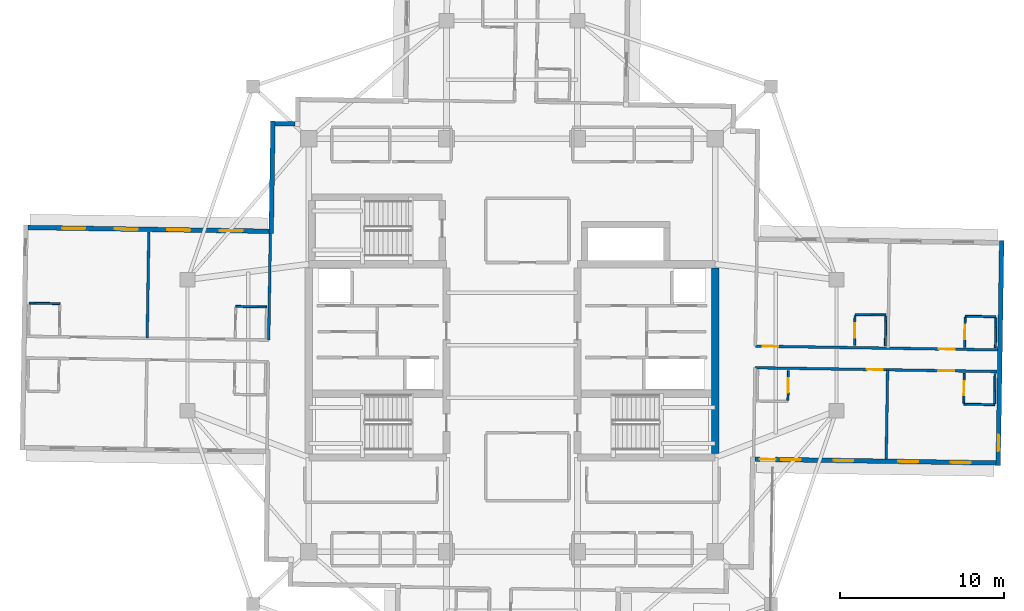
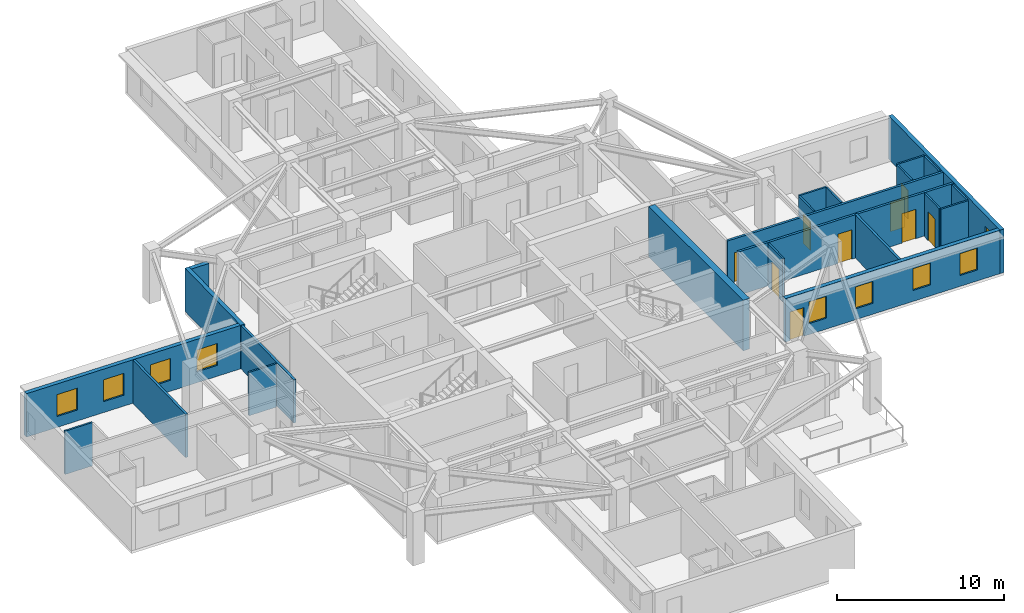
# One storey, part 6 of 13: 23 walls, 9 doors, 9 windows, 18 openings.
"""IFC4 building model written with IfcOpenShell, lengths in metres."""

import ifcopenshell
import ifcopenshell.guid

model = None  # the IFC model being written
_history = None  # IfcOwnerHistory: only IFC2X3 demands one
_inside = {}  # id of a spatial element -> (the spatial element, [elements in it])
_under = {}  # id of a project, library or spatial element -> (it, [spatial elements below it])
_declared = {}  # id of a project -> (the project, [libraries it declares])
_typed = {}  # id of a type object -> (the type object, [elements of that type])
_made_of = {}  # id of a material, layer set ... -> (it, [elements and type objects made of it])


def new_model(schema):
    """Start an empty IFC model of exactly this schema.

    Asked for "IFC4X3", IfcOpenShell would pick the latest addendum, in which some entities
    have other attributes; the version numbers below select the first issue.
    IFC2X3 requires an IfcOwnerHistory on every rooted entity: one is made here for all.
    """
    global model, _history
    if schema == "IFC4X3":
        model = ifcopenshell.file(schema_version=(4, 3, 0, 0))
    else:
        model = ifcopenshell.file(schema=schema)
    _inside.clear()
    _under.clear()
    _declared.clear()
    _typed.clear()
    _made_of.clear()
    _history = None
    if model.schema == "IFC2X3":
        org = make("IfcOrganization", Name="unknown")
        user = make(
            "IfcPersonAndOrganization",
            ThePerson=make("IfcPerson", FamilyName="unknown"),
            TheOrganization=org,
        )
        app = make(
            "IfcApplication",
            ApplicationDeveloper=org,
            Version="unknown",
            ApplicationFullName="unknown",
            ApplicationIdentifier="unknown",
        )
        _history = make(
            "IfcOwnerHistory",
            OwningUser=user,
            OwningApplication=app,
            ChangeAction="ADDED",
            CreationDate=0,
        )
    return model


def make(cls, **values):
    """One entity of the class cls with the attributes given. An attribute that is None is left unset."""
    return model.create_entity(
        cls, **{name: value for name, value in values.items() if value is not None}
    )


def rooted(cls, **values):
    """An entity with a GlobalId (a new one), such as an element, a storey or a relation."""
    return make(cls, GlobalId=ifcopenshell.guid.new(), OwnerHistory=_history, **values)


def si_unit(unit_type, name, prefix=None):
    """IfcSIUnit, for example si_unit("LENGTHUNIT", "METRE", prefix="MILLI")."""
    return make("IfcSIUnit", UnitType=unit_type, Prefix=prefix, Name=name)


def assignment(units):
    """IfcUnitAssignment: the units of a project."""
    return None if units is None else make("IfcUnitAssignment", Units=units)


def point(xyz):
    """IfcCartesianPoint."""
    return None if xyz is None else make("IfcCartesianPoint", Coordinates=xyz)


def direction(xyz):
    """IfcDirection."""
    return None if xyz is None else make("IfcDirection", DirectionRatios=xyz)


def frame(location, z_axis=None, x_axis=None):
    """IfcAxis2Placement3D, a coordinate frame: its origin and axes. An axis left out is left unset."""
    return make(
        "IfcAxis2Placement3D",
        Location=point(location),
        Axis=direction(z_axis),
        RefDirection=direction(x_axis),
    )


def frame_2d(location, x_axis=None):
    """IfcAxis2Placement2D, a coordinate frame in the plane: its origin and x axis."""
    return make(
        "IfcAxis2Placement2D", Location=point(location), RefDirection=direction(x_axis)
    )


def origin():
    """The frame at (0, 0, 0) with its axes left unset."""
    return frame((0.0, 0.0, 0.0))


def place(relative_to, where):
    """IfcLocalPlacement: puts the frame where relative to a parent placement (None: the world)."""
    return make(
        "IfcLocalPlacement", PlacementRelTo=relative_to, RelativePlacement=where
    )


def context(
    kind, dimensions, precision=None, world=None, true_north=None, identifier=None
):
    """IfcGeometricRepresentationContext, for example the 3D "Model" context."""
    return make(
        "IfcGeometricRepresentationContext",
        ContextIdentifier=identifier,
        ContextType=kind,
        CoordinateSpaceDimension=dimensions,
        Precision=precision,
        WorldCoordinateSystem=world,
        TrueNorth=true_north,
    )


def subcontext(parent, identifier, kind, view, scale=None):
    """IfcGeometricRepresentationSubContext, for example "Body" below "Model"."""
    return make(
        "IfcGeometricRepresentationSubContext",
        ContextIdentifier=identifier,
        ContextType=kind,
        ParentContext=parent,
        TargetScale=scale,
        TargetView=view,
    )


def project(units=None, contexts=None):
    """IfcProject with its units and contexts."""
    return rooted(
        "IfcProject",
        Name="project",
        RepresentationContexts=contexts,
        UnitsInContext=assignment(units),
    )


def spatial(cls, under=None, at=None, **own):
    """A site, building, storey or space (cls), placed at a placement, below another one or the project."""
    s = rooted(cls, ObjectPlacement=at, **own)
    if under is not None:
        _under.setdefault(under.id(), (under, []))[1].append(s)
    return s


def profile(cls, at=None, kind="AREA", **sizes):
    """A parametric profile (cls). Its sizes go by their IFC names, for example OverallWidth=200.0."""
    return make(cls, ProfileType=kind, Position=at, **sizes)


def rectangle(**sizes):
    """IfcRectangleProfileDef."""
    return profile("IfcRectangleProfileDef", **sizes)


def extrude(swept, where, along, depth):
    """IfcExtrudedAreaSolid: the profile swept, set in the frame where, extruded along a direction by depth."""
    return make(
        "IfcExtrudedAreaSolid",
        SweptArea=swept,
        Position=where,
        ExtrudedDirection=direction(along),
        Depth=depth,
    )


def shape(context_of_items, identifier, shape_type, items):
    """IfcShapeRepresentation: the items that make up one representation, for example the "Body"."""
    return make(
        "IfcShapeRepresentation",
        ContextOfItems=context_of_items,
        RepresentationIdentifier=identifier,
        RepresentationType=shape_type,
        Items=items,
    )


def material(Name=None, Category=None):
    """IfcMaterial."""
    return make("IfcMaterial", Name=Name, Category=Category)


def layer(
    of_material, thickness, ventilated=None, Name=None, Category=None, Priority=None
):
    """IfcMaterialLayer: one layer of a wall or slab, of a material (None: an air gap)."""
    return make(
        "IfcMaterialLayer",
        Material=of_material,
        LayerThickness=thickness,
        IsVentilated=ventilated,
        Name=Name,
        Category=Category,
        Priority=Priority,
    )


def layer_set(layers, Name=None):
    """IfcMaterialLayerSet."""
    return make("IfcMaterialLayerSet", MaterialLayers=layers, LayerSetName=Name)


def made_of(thing, what):
    """Note that an element or type object is made of a material, layer set ...; save() writes the relation."""
    if what is not None:
        _made_of.setdefault(what.id(), (what, []))[1].append(thing)
    return thing


def type_object(cls, material=None, **own):
    """A type object (cls), such as IfcWallType, which elements share."""
    return made_of(rooted(cls, **own), material)


def element(
    cls,
    number,
    at=None,
    inside=None,
    cuts=None,
    type_object=None,
    material=None,
    context=None,
    identifier="Body",
    shape_type=None,
    held_by="IfcProductDefinitionShape",
    body=None,
    shapes=None,
    **own,
):
    """One element of the class cls, such as IfcWall. Its Tag is "e" and its number.

    at: its placement. inside: the storey or other place that contains it. cuts: it is an
    opening in that element (IfcRelVoidsElement). A single representation is given by context,
    identifier, shape_type and body (its items); several are given by shapes. held_by: the class
    of the entity that holds the representations. save() writes the other relations.
    """
    e = rooted(cls, Tag="e%d" % number, ObjectPlacement=at, **own)
    if body is not None:
        shapes = [shape(context, identifier, shape_type, body)]
    if shapes is not None:
        e.Representation = make(held_by, Representations=shapes)
    if inside is not None:
        _inside.setdefault(inside.id(), (inside, []))[1].append(e)
    if cuts is not None:
        rooted(
            "IfcRelVoidsElement", RelatingBuildingElement=cuts, RelatedOpeningElement=e
        )
    if type_object is not None:
        _typed.setdefault(type_object.id(), (type_object, []))[1].append(e)
    return made_of(e, material)


def fill(opening, filler):
    """IfcRelFillsElement: the door or window that sits in an opening."""
    return rooted(
        "IfcRelFillsElement",
        RelatingOpeningElement=opening,
        RelatedBuildingElement=filler,
    )


def aggregate(whole, parts):
    """IfcRelAggregates: a whole, such as a stair, and the parts it consists of."""
    return rooted("IfcRelAggregates", RelatingObject=whole, RelatedObjects=parts)


def save(model, path):
    """Write the relations noted so far, then the file.

    IfcRelAggregates (storeys below a building ...), IfcRelContainedInSpatialStructure (elements
    in a storey), IfcRelDefinesByType, IfcRelAssociatesMaterial and IfcRelDeclares: one each for
    every whole, place, type object, material and project.
    """
    for whole, parts in _under.values():
        aggregate(whole, parts)
    for where, things in _inside.values():
        rooted(
            "IfcRelContainedInSpatialStructure",
            RelatedElements=things,
            RelatingStructure=where,
        )
    for kind, things in _typed.values():
        rooted("IfcRelDefinesByType", RelatedObjects=things, RelatingType=kind)
    for what, things in _made_of.values():
        rooted("IfcRelAssociatesMaterial", RelatedObjects=things, RelatingMaterial=what)
    for by, libraries in _declared.values():
        rooted("IfcRelDeclares", RelatingContext=by, RelatedDefinitions=libraries)
    model.write(path)


model = new_model("IFC4")

# Units and contexts
model_context = context("Model", 3, precision=1e-05, world=origin(), true_north=direction((0.0, 1.0)))
body_context = subcontext(model_context, "Body", "Model", "MODEL_VIEW")
ifc_project = project(units=[si_unit("LENGTHUNIT", "METRE"), si_unit("AREAUNIT", "SQUARE_METRE"), si_unit("VOLUMEUNIT", "CUBIC_METRE"), si_unit("PLANEANGLEUNIT", "RADIAN"), si_unit("MASSUNIT", "GRAM", prefix="KILO")], contexts=[model_context])

# Site, building, storey
site_placement = place(None, origin())
site = spatial("IfcSite", under=ifc_project, at=site_placement, CompositionType="ELEMENT")
building_placement = place(site_placement, origin())
building = spatial("IfcBuilding", under=site, at=building_placement, Name="Qingluan Cross Belvedere", CompositionType="ELEMENT")
storey_placement = place(building_placement, frame((0.0, 0.0, 228.60009765625)))
storey = spatial("IfcBuildingStorey", under=building, at=storey_placement, Name="L57", CompositionType="ELEMENT", Elevation=228.60009765625)

# Wall
ifc_material_1 = material(Name="Concrete C50", Category="concrete")
ifc_layer_1 = layer(ifc_material_1, 0.449951171875, Name="CoreShearWall_450")
ifc_layer_set_1 = layer_set([ifc_layer_1], Name="Concrete C50")
wall_type_1 = type_object("IfcWallType", Name="CoreShearWall_450", PredefinedType="SHEAR", material=ifc_layer_set_1)
wall_1_placement = place(storey_placement, frame((12.39990234375, -6.6201171875, 0.0), z_axis=(0.0, 0.0, 1.0), x_axis=(0.0, 1.0, 0.0)))
element("IfcWall", 1, at=wall_1_placement, inside=storey, type_object=wall_type_1, Name="Split core E shear wall L57-E", PredefinedType="SHEAR", context=body_context, shape_type="SweptSolid", body=[
    extrude(rectangle(XDim=11.340087890625, YDim=0.449951171875, at=frame_2d((5.669921875, 0.0))), origin(), (0.0, 0.0, 1.0), 3.699951171875),
])

# Wall, openings, doors
ifc_material_2 = material(Name="Gypsum plasterboard on steel stud acoustic partition", Category="steel")
ifc_layer_2 = layer(ifc_material_2, 0.159912109375, Name="CorridorPartition_160")
ifc_layer_set_2 = layer_set([ifc_layer_2], Name="Gypsum plasterboard on steel stud acoustic partition")
wall_type_2 = type_object("IfcWallType", Name="CorridorPartition_160", PredefinedType="PARTITIONING", material=ifc_layer_set_2)
wall_2_placement = place(storey_placement, frame((14.85107421875, -0.05322265625, 0.0), z_axis=(0.0, 0.0, 1.0), x_axis=(0.999876638346, -0.015706944004, 0.0)))
wall_2 = element("IfcWall", 2, at=wall_2_placement, inside=storey, type_object=wall_type_2, Name="Partition L57:E:c0", PredefinedType="PARTITIONING", context=body_context, shape_type="SweptSolid", body=[
    extrude(rectangle(XDim=14.78173828125, YDim=0.159912109375, at=frame_2d((7.390869140625, 0.0))), origin(), (0.0, 0.0, 1.0), 3.169921875),
])
opening_1_placement = place(wall_2_placement, frame((0.449951171875, 0.0, 0.0)))
opening_1 = element("IfcOpeningElement", 3, at=opening_1_placement, cuts=wall_2, Name="Opening GD-10", PredefinedType="OPENING", context=body_context, shape_type="SweptSolid", body=[
    extrude(rectangle(XDim=0.9599609375, YDim=2.14990234375, at=frame_2d((0.47998046875, 1.074951171875))), frame((0.0, 0.08984375, 0.0), z_axis=(0.0, -1.0, 0.0), x_axis=(1.0, 0.0, 0.0)), (0.0, 0.0, 1.0), 0.179931640625),
])
opening_2_placement = place(wall_2_placement, frame((11.197998046875, 0.0, 0.0)))
opening_2 = element("IfcOpeningElement", 4, at=opening_2_placement, cuts=wall_2, Name="Opening GD-10", PredefinedType="OPENING", context=body_context, shape_type="SweptSolid", body=[
    extrude(rectangle(XDim=0.9599609375, YDim=2.14990234375, at=frame_2d((0.47998046875, 1.074951171875))), frame((0.0, 0.08984375, 0.0), z_axis=(0.0, -1.0, 0.0), x_axis=(1.0, 0.0, 0.0)), (0.0, 0.0, 1.0), 0.179931640625),
])
ifc_material_3 = material(Name="Timber oak fire-rated acoustic guestroom door", Category="wood")
door_type_1 = type_object("IfcDoorType", Name="GuestEntryDoor_FD60", OperationType="NOTDEFINED", PredefinedType="DOOR", material=ifc_material_3)
door_1_placement = place(opening_1_placement, origin())
door_1 = element("IfcDoor", 5, at=door_1_placement, inside=storey, type_object=door_type_1, Name="Guest entry fire door 5701", OperationType="SINGLE_SWING_LEFT", OverallHeight=2.14990234375, OverallWidth=0.9599609375, PredefinedType="DOOR", context=body_context, shape_type="SweptSolid", body=[
    extrude(rectangle(XDim=0.9599609375, YDim=2.14990234375, at=frame_2d((0.47998046875, 1.074951171875))), frame((0.0, 0.02490234375, 0.0), z_axis=(0.0, -1.0, 0.0), x_axis=(1.0, 0.0, 0.0)), (0.0, 0.0, 1.0), 0.050048828125),
])
fill(opening_1, door_1)
door_2_placement = place(opening_2_placement, origin())
door_2 = element("IfcDoor", 6, at=door_2_placement, inside=storey, type_object=door_type_1, Name="Guest entry fire door 5702", OperationType="SINGLE_SWING_LEFT", OverallHeight=2.14990234375, OverallWidth=0.9599609375, PredefinedType="DOOR", context=body_context, shape_type="SweptSolid", body=[
    extrude(rectangle(XDim=0.9599609375, YDim=2.14990234375, at=frame_2d((0.47998046875, 1.074951171875))), frame((0.0, 0.02490234375, 0.0), z_axis=(0.0, -1.0, 0.0), x_axis=(1.0, 0.0, 0.0)), (0.0, 0.0, 1.0), 0.050048828125),
])
fill(opening_2, door_2)

wall_3_placement = place(storey_placement, frame((14.830322265625, -1.373046875, 0.0), z_axis=(0.0, 0.0, 1.0), x_axis=(0.999876642421, -0.015706684621, 0.0)))
wall_3 = element("IfcWall", 7, at=wall_3_placement, inside=storey, type_object=wall_type_2, Name="Partition L57:E:c1", PredefinedType="PARTITIONING", context=body_context, shape_type="SweptSolid", body=[
    extrude(rectangle(XDim=14.781982421875, YDim=0.159912109375, at=frame_2d((7.39111328125, 0.0))), origin(), (0.0, 0.0, 1.0), 3.169921875),
])
opening_3_placement = place(wall_3_placement, frame((6.83203125, 0.0, 0.0)))
opening_3 = element("IfcOpeningElement", 8, at=opening_3_placement, cuts=wall_3, Name="Opening GD-10", PredefinedType="OPENING", context=body_context, shape_type="SweptSolid", body=[
    extrude(rectangle(XDim=0.9599609375, YDim=2.14990234375, at=frame_2d((0.47998046875, 1.074951171875))), frame((0.0, 0.08984375, 0.0), z_axis=(0.0, -1.0, 0.0), x_axis=(1.0, 0.0, 0.0)), (0.0, 0.0, 1.0), 0.179931640625),
])
opening_4_placement = place(wall_3_placement, frame((11.197998046875, 0.0, 0.0)))
opening_4 = element("IfcOpeningElement", 9, at=opening_4_placement, cuts=wall_3, Name="Opening GD-10", PredefinedType="OPENING", context=body_context, shape_type="SweptSolid", body=[
    extrude(rectangle(XDim=0.9599609375, YDim=2.14990234375, at=frame_2d((0.47998046875, 1.074951171875))), frame((0.0, 0.08984375, 0.0), z_axis=(0.0, -1.0, 0.0), x_axis=(1.0, 0.0, 0.0)), (0.0, 0.0, 1.0), 0.179931640625),
])
door_3_placement = place(opening_3_placement, origin())
door_3 = element("IfcDoor", 10, at=door_3_placement, inside=storey, type_object=door_type_1, Name="Guest entry fire door 5703", OperationType="SINGLE_SWING_LEFT", OverallHeight=2.14990234375, OverallWidth=0.9599609375, PredefinedType="DOOR", context=body_context, shape_type="SweptSolid", body=[
    extrude(rectangle(XDim=0.9599609375, YDim=2.14990234375, at=frame_2d((0.47998046875, 1.074951171875))), frame((0.0, 0.02490234375, 0.0), z_axis=(0.0, -1.0, 0.0), x_axis=(1.0, 0.0, 0.0)), (0.0, 0.0, 1.0), 0.050048828125),
])
fill(opening_3, door_3)
door_4_placement = place(opening_4_placement, origin())
door_4 = element("IfcDoor", 11, at=door_4_placement, inside=storey, type_object=door_type_1, Name="Guest entry fire door 5704", OperationType="SINGLE_SWING_LEFT", OverallHeight=2.14990234375, OverallWidth=0.9599609375, PredefinedType="DOOR", context=body_context, shape_type="SweptSolid", body=[
    extrude(rectangle(XDim=0.9599609375, YDim=2.14990234375, at=frame_2d((0.47998046875, 1.074951171875))), frame((0.0, 0.02490234375, 0.0), z_axis=(0.0, -1.0, 0.0), x_axis=(1.0, 0.0, 0.0)), (0.0, 0.0, 1.0), 0.050048828125),
])
fill(opening_4, door_4)

# Walls
wall_4_placement = place(storey_placement, frame((22.92138671875, -1.500244140625, 0.0), z_axis=(0.0, 0.0, 1.0), x_axis=(-0.015731218639, -0.999876256724, 0.0)))
element("IfcWall", 12, at=wall_4_placement, inside=storey, type_object=wall_type_2, Name="Partition L57:E:d1_0", PredefinedType="PARTITIONING", context=body_context, shape_type="SweptSolid", body=[
    extrude(rectangle(XDim=5.431884765625, YDim=0.159912109375, at=frame_2d((2.7158203125, 0.0))), origin(), (0.0, 0.0, 1.0), 3.169921875),
])
for number, where, z_axis, x_axis, name in (
    (13, (-14.846923828125, 0.313232421875, 0.0), (0.0, 0.0, 1.0), (0.015719435564, 0.999876442039, 0.0), "Partition L57:W:s0"),
    (14, (-22.262939453125, 0.4296875, 0.0), (0.0, 0.0, 1.0), (0.015719435564, 0.999876442039, 0.0), "Partition L57:W:d0_0"),
):
    element("IfcWall", number, at=place(storey_placement, frame(where, z_axis=z_axis, x_axis=x_axis)), inside=storey, type_object=wall_type_2, Name=name, PredefinedType="PARTITIONING", context=body_context, shape_type="SweptSolid", body=[
        extrude(rectangle(XDim=6.491943359375, YDim=0.159912109375, at=frame_2d((3.24609375, 0.0))), origin(), (0.0, 0.0, 1.0), 3.169921875),
    ])

# Wall, opening, door
ifc_material_4 = material(Name="Moisture-resistant gypsum board lining")
ifc_layer_3 = layer(ifc_material_4, 0.1201171875, Name="EnsuiteWetPartition_120")
ifc_layer_set_3 = layer_set([ifc_layer_3], Name="Moisture-resistant gypsum board lining")
wall_type_3 = type_object("IfcWallType", Name="EnsuiteWetPartition_120", PredefinedType="PARTITIONING", material=ifc_layer_set_3)
wall_5_placement = place(storey_placement, frame((20.904296875, -0.00830078125, 0.0), z_axis=(0.0, 0.0, 1.0), x_axis=(0.015830566654, 0.999874688728, 0.0)))
wall_5 = element("IfcWall", 15, at=wall_5_placement, inside=storey, type_object=wall_type_3, Name="Partition L57:E:bs0_0", PredefinedType="PARTITIONING", context=body_context, shape_type="SweptSolid", body=[
    extrude(rectangle(XDim=1.81982421875, YDim=0.1201171875, at=frame_2d((0.909912109375, 0.0))), origin(), (0.0, 0.0, 1.0), 3.169921875),
])
opening_5_placement = place(wall_5_placement, frame((0.469970703125, 0.0, 0.0)))
opening_5 = element("IfcOpeningElement", 16, at=opening_5_placement, cuts=wall_5, Name="Opening BD-09", PredefinedType="OPENING", context=body_context, shape_type="SweptSolid", body=[
    extrude(rectangle(XDim=0.8798828125, YDim=2.10009765625, at=frame_2d((0.43994140625, 1.050048828125))), frame((0.0, 0.070068359375, 0.0), z_axis=(0.0, -1.0, 0.0), x_axis=(1.0, 0.0, 0.0)), (0.0, 0.0, 1.0), 0.14013671875),
])
ifc_material_5 = material(Name="Moisture-sealed timber en-suite door", Category="wood")
door_type_2 = type_object("IfcDoorType", Name="BathroomDoor_880", OperationType="NOTDEFINED", PredefinedType="DOOR", material=ifc_material_5)
door_5_placement = place(opening_5_placement, origin())
door_5 = element("IfcDoor", 17, at=door_5_placement, inside=storey, type_object=door_type_2, Name="Bathroom door 5701", OperationType="SINGLE_SWING_RIGHT", OverallHeight=2.10009765625, OverallWidth=0.8798828125, PredefinedType="DOOR", context=body_context, shape_type="SweptSolid", body=[
    extrude(rectangle(XDim=0.8798828125, YDim=2.10009765625, at=frame_2d((0.43994140625, 1.050048828125))), frame((0.0, 0.02490234375, 0.0), z_axis=(0.0, -1.0, 0.0), x_axis=(1.0, 0.0, 0.0)), (0.0, 0.0, 1.0), 0.050048828125),
])
fill(opening_5, door_5)

# Walls
wall_6_placement = place(storey_placement, frame((22.7841796875, -0.037841796875, 0.0), z_axis=(0.0, 0.0, 1.0), x_axis=(0.015694337248, 0.999876836305, 0.0)))
element("IfcWall", 18, at=wall_6_placement, inside=storey, type_object=wall_type_3, Name="Partition L57:E:bw0_0", PredefinedType="PARTITIONING", context=body_context, shape_type="SweptSolid", body=[
    extrude(rectangle(XDim=1.820068359375, YDim=0.1201171875, at=frame_2d((0.91015625, 0.0))), origin(), (0.0, 0.0, 1.0), 3.169921875),
])
wall_7_placement = place(storey_placement, frame((20.93408203125, 1.87646484375, 0.0), z_axis=(0.0, 0.0, 1.0), x_axis=(0.99987652141, -0.015714386166, 0.0)))
element("IfcWall", 19, at=wall_7_placement, inside=storey, type_object=wall_type_3, Name="Partition L57:E:bn0_0", PredefinedType="PARTITIONING", context=body_context, shape_type="SweptSolid", body=[
    extrude(rectangle(XDim=1.8798828125, YDim=0.1201171875, at=frame_2d((0.93994140625, 0.0))), origin(), (0.0, 0.0, 1.0), 3.169921875),
])

# Wall, opening, door
wall_8_placement = place(storey_placement, frame((27.62158203125, -0.114013671875, 0.0), z_axis=(0.0, 0.0, 1.0), x_axis=(0.015694337248, 0.999876836305, 0.0)))
wall_8 = element("IfcWall", 20, at=wall_8_placement, inside=storey, type_object=wall_type_3, Name="Partition L57:E:bs0_1", PredefinedType="PARTITIONING", context=body_context, shape_type="SweptSolid", body=[
    extrude(rectangle(XDim=1.820068359375, YDim=0.1201171875, at=frame_2d((0.91015625, 0.0))), origin(), (0.0, 0.0, 1.0), 3.169921875),
])
opening_6_placement = place(wall_8_placement, frame((0.469970703125, 0.0, 0.0)))
opening_6 = element("IfcOpeningElement", 21, at=opening_6_placement, cuts=wall_8, Name="Opening BD-09", PredefinedType="OPENING", context=body_context, shape_type="SweptSolid", body=[
    extrude(rectangle(XDim=0.8798828125, YDim=2.10009765625, at=frame_2d((0.43994140625, 1.050048828125))), frame((0.0, 0.070068359375, 0.0), z_axis=(0.0, -1.0, 0.0), x_axis=(1.0, 0.0, 0.0)), (0.0, 0.0, 1.0), 0.14013671875),
])
door_6_placement = place(opening_6_placement, origin())
door_6 = element("IfcDoor", 22, at=door_6_placement, inside=storey, type_object=door_type_2, Name="Bathroom door 5702", OperationType="SINGLE_SWING_RIGHT", OverallHeight=2.10009765625, OverallWidth=0.8798828125, PredefinedType="DOOR", context=body_context, shape_type="SweptSolid", body=[
    extrude(rectangle(XDim=0.8798828125, YDim=2.10009765625, at=frame_2d((0.43994140625, 1.050048828125))), frame((0.0, 0.02490234375, 0.0), z_axis=(0.0, -1.0, 0.0), x_axis=(1.0, 0.0, 0.0)), (0.0, 0.0, 1.0), 0.050048828125),
])
fill(opening_6, door_6)

# Walls
wall_9_placement = place(storey_placement, frame((29.50146484375, -0.143310546875, 0.0), z_axis=(0.0, 0.0, 1.0), x_axis=(0.015694337248, 0.999876836305, 0.0)))
element("IfcWall", 23, at=wall_9_placement, inside=storey, type_object=wall_type_3, Name="Partition L57:E:bw0_1", PredefinedType="PARTITIONING", context=body_context, shape_type="SweptSolid", body=[
    extrude(rectangle(XDim=1.820068359375, YDim=0.1201171875, at=frame_2d((0.91015625, 0.0))), origin(), (0.0, 0.0, 1.0), 3.169921875),
])
wall_10_placement = place(storey_placement, frame((27.651123046875, 1.77099609375, 0.0), z_axis=(0.0, 0.0, 1.0), x_axis=(0.999876553475, -0.01571234584, 0.0)))
element("IfcWall", 24, at=wall_10_placement, inside=storey, type_object=wall_type_3, Name="Partition L57:E:bn0_1", PredefinedType="PARTITIONING", context=body_context, shape_type="SweptSolid", body=[
    extrude(rectangle(XDim=1.880126953125, YDim=0.1201171875, at=frame_2d((0.93994140625, 0.0))), origin(), (0.0, 0.0, 1.0), 3.169921875),
])

# Wall, opening, door
wall_11_placement = place(storey_placement, frame((16.839111328125, -3.364990234375, 0.0), z_axis=(0.0, 0.0, 1.0), x_axis=(0.015828443418, 0.999874722342, 0.0)))
wall_11 = element("IfcWall", 25, at=wall_11_placement, inside=storey, type_object=wall_type_3, Name="Partition L57:E:bs1_0", PredefinedType="PARTITIONING", context=body_context, shape_type="SweptSolid", body=[
    extrude(rectangle(XDim=1.820068359375, YDim=0.1201171875, at=frame_2d((0.91015625, 0.0))), origin(), (0.0, 0.0, 1.0), 3.169921875),
])
opening_7_placement = place(wall_11_placement, frame((0.469970703125, 0.0, 0.0)))
opening_7 = element("IfcOpeningElement", 26, at=opening_7_placement, cuts=wall_11, Name="Opening BD-09", PredefinedType="OPENING", context=body_context, shape_type="SweptSolid", body=[
    extrude(rectangle(XDim=0.8798828125, YDim=2.10009765625, at=frame_2d((0.43994140625, 1.050048828125))), frame((0.0, 0.070068359375, 0.0), z_axis=(0.0, -1.0, 0.0), x_axis=(1.0, 0.0, 0.0)), (0.0, 0.0, 1.0), 0.14013671875),
])
door_7_placement = place(opening_7_placement, origin())
door_7 = element("IfcDoor", 27, at=door_7_placement, inside=storey, type_object=door_type_2, Name="Bathroom door 5703", OperationType="SINGLE_SWING_RIGHT", OverallHeight=2.10009765625, OverallWidth=0.8798828125, PredefinedType="DOOR", context=body_context, shape_type="SweptSolid", body=[
    extrude(rectangle(XDim=0.8798828125, YDim=2.10009765625, at=frame_2d((0.43994140625, 1.050048828125))), frame((0.0, 0.02490234375, 0.0), z_axis=(0.0, -1.0, 0.0), x_axis=(1.0, 0.0, 0.0)), (0.0, 0.0, 1.0), 0.050048828125),
])
fill(opening_7, door_7)

wall_12_placement = place(storey_placement, frame((27.56787109375, -3.533447265625, 0.0), z_axis=(0.0, 0.0, 1.0), x_axis=(0.015694337248, 0.999876836305, 0.0)))
wall_12 = element("IfcWall", 28, at=wall_12_placement, inside=storey, type_object=wall_type_3, Name="Partition L57:E:bs1_1", PredefinedType="PARTITIONING", context=body_context, shape_type="SweptSolid", body=[
    extrude(rectangle(XDim=1.820068359375, YDim=0.1201171875, at=frame_2d((0.91015625, 0.0))), origin(), (0.0, 0.0, 1.0), 3.169921875),
])
opening_8_placement = place(wall_12_placement, frame((0.469970703125, 0.0, 0.0)))
opening_8 = element("IfcOpeningElement", 29, at=opening_8_placement, cuts=wall_12, Name="Opening BD-09", PredefinedType="OPENING", context=body_context, shape_type="SweptSolid", body=[
    extrude(rectangle(XDim=0.8798828125, YDim=2.10009765625, at=frame_2d((0.43994140625, 1.050048828125))), frame((0.0, 0.070068359375, 0.0), z_axis=(0.0, -1.0, 0.0), x_axis=(1.0, 0.0, 0.0)), (0.0, 0.0, 1.0), 0.14013671875),
])
door_8_placement = place(opening_8_placement, origin())
door_8 = element("IfcDoor", 30, at=door_8_placement, inside=storey, type_object=door_type_2, Name="Bathroom door 5704", OperationType="SINGLE_SWING_RIGHT", OverallHeight=2.10009765625, OverallWidth=0.8798828125, PredefinedType="DOOR", context=body_context, shape_type="SweptSolid", body=[
    extrude(rectangle(XDim=0.8798828125, YDim=2.10009765625, at=frame_2d((0.43994140625, 1.050048828125))), frame((0.0, 0.02490234375, 0.0), z_axis=(0.0, -1.0, 0.0), x_axis=(1.0, 0.0, 0.0)), (0.0, 0.0, 1.0), 0.050048828125),
])
fill(opening_8, door_8)

# Walls
wall_13_placement = place(storey_placement, frame((29.44775390625, -3.56298828125, 0.0), z_axis=(0.0, 0.0, 1.0), x_axis=(0.015694337248, 0.999876836305, 0.0)))
element("IfcWall", 31, at=wall_13_placement, inside=storey, type_object=wall_type_3, Name="Partition L57:E:bw1_1", PredefinedType="PARTITIONING", context=body_context, shape_type="SweptSolid", body=[
    extrude(rectangle(XDim=1.820068359375, YDim=0.1201171875, at=frame_2d((0.91015625, 0.0))), origin(), (0.0, 0.0, 1.0), 3.169921875),
])
wall_14_placement = place(storey_placement, frame((27.56689453125, -3.598388671875, 0.0), z_axis=(0.0, 0.0, 1.0), x_axis=(0.99987652141, -0.015714386166, 0.0)))
element("IfcWall", 32, at=wall_14_placement, inside=storey, type_object=wall_type_3, Name="Partition L57:E:bc1_1", PredefinedType="PARTITIONING", context=body_context, shape_type="SweptSolid", body=[
    extrude(rectangle(XDim=1.8798828125, YDim=0.1201171875, at=frame_2d((0.93994140625, 0.0))), origin(), (0.0, 0.0, 1.0), 3.169921875),
])
for number, where, z_axis, x_axis, name in (
    (33, (-14.97509765625, 2.340576171875, 0.0), (0.0, 0.0, 1.0), (-0.999876553475, 0.01571234584, 0.0), "Partition L57:W:bn0_0"),
    (34, (-27.58349609375, 2.53857421875, 0.0), (0.0, 0.0, 1.0), (-0.999876553475, 0.01571234584, 0.0), "Partition L57:W:bn0_1"),
):
    element("IfcWall", number, at=place(storey_placement, frame(where, z_axis=z_axis, x_axis=x_axis)), inside=storey, type_object=wall_type_3, Name=name, PredefinedType="PARTITIONING", context=body_context, shape_type="SweptSolid", body=[
        extrude(rectangle(XDim=1.880126953125, YDim=0.1201171875, at=frame_2d((0.93994140625, 0.0))), origin(), (0.0, 0.0, 1.0), 3.169921875),
    ])

# Wall, openings, windows, door
ifc_material_6 = material(Name="Precast concrete C45", Category="concrete")
ifc_layer_4 = layer(ifc_material_6, 0.280029296875, Name="PrecastFacadeWall_280")
ifc_layer_set_4 = layer_set([ifc_layer_4], Name="Precast concrete C45")
wall_type_4 = type_object("IfcWallType", Name="PrecastFacadeWall_280", PredefinedType="STANDARD", material=ifc_layer_set_4)
wall_15_placement = place(storey_placement, frame((14.83251953125, -6.953857421875, 0.0), z_axis=(0.0, 0.0, 1.0), x_axis=(0.999876569875, -0.015711302158, 0.0)))
wall_15 = element("IfcWall", 35, at=wall_15_placement, inside=storey, type_object=wall_type_4, Name="Facade wall L57-EA", PredefinedType="STANDARD", context=body_context, shape_type="SweptSolid", body=[
    extrude(rectangle(XDim=14.699951171875, YDim=0.280029296875, at=frame_2d((7.35009765625, 0.0))), origin(), (0.0, 0.0, 1.0), 3.179931640625),
])
opening_9_placement = place(wall_15_placement, frame((1.60009765625, 0.0, 0.800048828125)))
opening_9 = element("IfcOpeningElement", 36, at=opening_9_placement, cuts=wall_15, Name="Opening W-02", PredefinedType="OPENING", context=body_context, shape_type="SweptSolid", body=[
    extrude(rectangle(XDim=1.199951171875, YDim=1.60009765625, at=frame_2d((0.60009765625, 0.800048828125))), frame((0.0, 0.14990234375, 0.0), z_axis=(0.0, -1.0, 0.0), x_axis=(1.0, 0.0, 0.0)), (0.0, 0.0, 1.0), 0.300048828125),
])
opening_10_placement = place(wall_15_placement, frame((4.800048828125, 0.0, 0.800048828125)))
opening_10 = element("IfcOpeningElement", 37, at=opening_10_placement, cuts=wall_15, Name="Opening W-02", PredefinedType="OPENING", context=body_context, shape_type="SweptSolid", body=[
    extrude(rectangle(XDim=1.199951171875, YDim=1.60009765625, at=frame_2d((0.60009765625, 0.800048828125))), frame((0.0, 0.14990234375, 0.0), z_axis=(0.0, -1.0, 0.0), x_axis=(1.0, 0.0, 0.0)), (0.0, 0.0, 1.0), 0.300048828125),
])
opening_11_placement = place(wall_15_placement, frame((8.75, 0.0, 0.800048828125)))
opening_11 = element("IfcOpeningElement", 38, at=opening_11_placement, cuts=wall_15, Name="Opening W-02", PredefinedType="OPENING", context=body_context, shape_type="SweptSolid", body=[
    extrude(rectangle(XDim=1.199951171875, YDim=1.60009765625, at=frame_2d((0.60009765625, 0.800048828125))), frame((0.0, 0.14990234375, 0.0), z_axis=(0.0, -1.0, 0.0), x_axis=(1.0, 0.0, 0.0)), (0.0, 0.0, 1.0), 0.300048828125),
])
opening_12_placement = place(wall_15_placement, frame((11.949951171875, 0.0, 0.800048828125)))
opening_12 = element("IfcOpeningElement", 39, at=opening_12_placement, cuts=wall_15, Name="Opening W-02", PredefinedType="OPENING", context=body_context, shape_type="SweptSolid", body=[
    extrude(rectangle(XDim=1.199951171875, YDim=1.60009765625, at=frame_2d((0.60009765625, 0.800048828125))), frame((0.0, 0.14990234375, 0.0), z_axis=(0.0, -1.0, 0.0), x_axis=(1.0, 0.0, 0.0)), (0.0, 0.0, 1.0), 0.300048828125),
])
opening_13_placement = place(wall_15_placement, frame((0.300048828125, 0.0, 0.0)))
opening_13 = element("IfcOpeningElement", 40, at=opening_13_placement, cuts=wall_15, Name="Opening WD-10", PredefinedType="OPENING", context=body_context, shape_type="SweptSolid", body=[
    extrude(rectangle(XDim=0.9599609375, YDim=2.10009765625, at=frame_2d((0.47998046875, 1.050048828125))), frame((0.0, 0.14990234375, 0.0), z_axis=(0.0, -1.0, 0.0), x_axis=(1.0, 0.0, 0.0)), (0.0, 0.0, 1.0), 0.300048828125),
])
ifc_material_7 = material(Name="Thermally broken triple Low-E glass in aluminium frame", Category="aluminium")
window_type_1 = type_object("IfcWindowType", Name="TriRibbonWin_1200x1600", PartitioningType="SINGLE_PANEL", PredefinedType="WINDOW", material=ifc_material_7)
window_1_placement = place(opening_9_placement, origin())
window_1 = element("IfcWindow", 41, at=window_1_placement, inside=storey, type_object=window_type_1, Name="Ribbon window L57-EA-1", OverallHeight=1.60009765625, OverallWidth=1.199951171875, PartitioningType="SINGLE_PANEL", PredefinedType="WINDOW", context=body_context, shape_type="SweptSolid", body=[
    extrude(rectangle(XDim=1.199951171875, YDim=1.60009765625, at=frame_2d((0.60009765625, 0.800048828125))), frame((0.0, 0.030029296875, 0.0), z_axis=(0.0, -1.0, 0.0), x_axis=(1.0, 0.0, 0.0)), (0.0, 0.0, 1.0), 0.06005859375),
])
fill(opening_9, window_1)
window_2_placement = place(opening_10_placement, origin())
window_2 = element("IfcWindow", 42, at=window_2_placement, inside=storey, type_object=window_type_1, Name="Ribbon window L57-EA-2", OverallHeight=1.60009765625, OverallWidth=1.199951171875, PartitioningType="SINGLE_PANEL", PredefinedType="WINDOW", context=body_context, shape_type="SweptSolid", body=[
    extrude(rectangle(XDim=1.199951171875, YDim=1.60009765625, at=frame_2d((0.60009765625, 0.800048828125))), frame((0.0, 0.030029296875, 0.0), z_axis=(0.0, -1.0, 0.0), x_axis=(1.0, 0.0, 0.0)), (0.0, 0.0, 1.0), 0.06005859375),
])
fill(opening_10, window_2)
window_3_placement = place(opening_11_placement, origin())
window_3 = element("IfcWindow", 43, at=window_3_placement, inside=storey, type_object=window_type_1, Name="Ribbon window L57-EA-3", OverallHeight=1.60009765625, OverallWidth=1.199951171875, PartitioningType="SINGLE_PANEL", PredefinedType="WINDOW", context=body_context, shape_type="SweptSolid", body=[
    extrude(rectangle(XDim=1.199951171875, YDim=1.60009765625, at=frame_2d((0.60009765625, 0.800048828125))), frame((0.0, 0.030029296875, 0.0), z_axis=(0.0, -1.0, 0.0), x_axis=(1.0, 0.0, 0.0)), (0.0, 0.0, 1.0), 0.06005859375),
])
fill(opening_11, window_3)
window_4_placement = place(opening_12_placement, origin())
window_4 = element("IfcWindow", 44, at=window_4_placement, inside=storey, type_object=window_type_1, Name="Ribbon window L57-EA-4", OverallHeight=1.60009765625, OverallWidth=1.199951171875, PartitioningType="SINGLE_PANEL", PredefinedType="WINDOW", context=body_context, shape_type="SweptSolid", body=[
    extrude(rectangle(XDim=1.199951171875, YDim=1.60009765625, at=frame_2d((0.60009765625, 0.800048828125))), frame((0.0, 0.030029296875, 0.0), z_axis=(0.0, -1.0, 0.0), x_axis=(1.0, 0.0, 0.0)), (0.0, 0.0, 1.0), 0.06005859375),
])
fill(opening_12, window_4)
ifc_material_8 = material(Name="Thermally broken aluminium and Low-E glass", Category="aluminium")
door_type_3 = type_object("IfcDoorType", Name="WinterGardenDoor_096", OperationType="NOTDEFINED", PredefinedType="DOOR", material=ifc_material_8)
door_9_placement = place(opening_13_placement, origin())
door_9 = element("IfcDoor", 45, at=door_9_placement, inside=storey, type_object=door_type_3, Name="Outdoor terrace access door L57-spi", OperationType="SINGLE_SWING_LEFT", OverallHeight=2.10009765625, OverallWidth=0.9599609375, PredefinedType="DOOR", context=body_context, shape_type="SweptSolid", body=[
    extrude(rectangle(XDim=0.9599609375, YDim=2.10009765625, at=frame_2d((0.47998046875, 1.050048828125))), frame((0.0, 0.02490234375, 0.0), z_axis=(0.0, -1.0, 0.0), x_axis=(1.0, 0.0, 0.0)), (0.0, 0.0, 1.0), 0.050048828125),
])
fill(opening_13, door_9)

# Wall, opening, window
wall_16_placement = place(storey_placement, frame((29.668701171875, -7.326904296875, 0.0), z_axis=(0.0, 0.0, 1.0), x_axis=(0.015694809807, 0.999876828887, 0.0)))
wall_16 = element("IfcWall", 46, at=wall_16_placement, inside=storey, type_object=wall_type_4, Name="Arm tip precast facade wall L57-E", PredefinedType="STANDARD", context=body_context, shape_type="SweptSolid", body=[
    extrude(rectangle(XDim=13.719970703125, YDim=0.280029296875, at=frame_2d((6.85986328125, 0.0))), origin(), (0.0, 0.0, 1.0), 3.179931640625),
])
opening_14_placement = place(wall_16_placement, frame((0.85009765625, 0.0, 0.85009765625)))
opening_14 = element("IfcOpeningElement", 47, at=opening_14_placement, cuts=wall_16, Name="Opening W-03", PredefinedType="OPENING", context=body_context, shape_type="SweptSolid", body=[
    extrude(rectangle(XDim=1.0, YDim=1.5, at=frame_2d((0.5, 0.75))), frame((0.0, 0.14990234375, 0.0), z_axis=(0.0, -1.0, 0.0), x_axis=(1.0, 0.0, 0.0)), (0.0, 0.0, 1.0), 0.300048828125),
])
ifc_material_9 = material(Name="Thermally broken triple Low-E glass in aluminium frame", Category="aluminium")
window_type_2 = type_object("IfcWindowType", Name="TriApexWin_1000x1500", PartitioningType="SINGLE_PANEL", PredefinedType="WINDOW", material=ifc_material_9)
window_5_placement = place(opening_14_placement, origin())
window_5 = element("IfcWindow", 48, at=window_5_placement, inside=storey, type_object=window_type_2, Name="Arm tip triangular window L57-E", OverallHeight=1.5, OverallWidth=1.0, PartitioningType="SINGLE_PANEL", PredefinedType="WINDOW", context=body_context, shape_type="SweptSolid", body=[
    extrude(rectangle(XDim=1.0, YDim=1.5, at=frame_2d((0.5, 0.75))), frame((0.0, 0.030029296875, 0.0), z_axis=(0.0, -1.0, 0.0), x_axis=(1.0, 0.0, 0.0)), (0.0, 0.0, 1.0), 0.06005859375),
])
fill(opening_14, window_5)

# Wall, openings, windows
wall_17_placement = place(storey_placement, frame((-14.83251953125, 6.953857421875, 0.0), z_axis=(0.0, 0.0, 1.0), x_axis=(-0.999876569875, 0.015711302158, 0.0)))
wall_17 = element("IfcWall", 49, at=wall_17_placement, inside=storey, type_object=wall_type_4, Name="Facade wall L57-WA", PredefinedType="STANDARD", context=body_context, shape_type="SweptSolid", body=[
    extrude(rectangle(XDim=14.699951171875, YDim=0.280029296875, at=frame_2d((7.35009765625, 0.0))), origin(), (0.0, 0.0, 1.0), 3.179931640625),
])
opening_15_placement = place(wall_17_placement, frame((1.60009765625, 0.0, 0.800048828125)))
opening_15 = element("IfcOpeningElement", 50, at=opening_15_placement, cuts=wall_17, Name="Opening W-01", PredefinedType="OPENING", context=body_context, shape_type="SweptSolid", body=[
    extrude(rectangle(XDim=1.39990234375, YDim=1.60009765625, at=frame_2d((0.699951171875, 0.800048828125))), frame((0.0, 0.14990234375, 0.0), z_axis=(0.0, -1.0, 0.0), x_axis=(1.0, 0.0, 0.0)), (0.0, 0.0, 1.0), 0.300048828125),
])
opening_16_placement = place(wall_17_placement, frame((4.800048828125, 0.0, 0.800048828125)))
opening_16 = element("IfcOpeningElement", 51, at=opening_16_placement, cuts=wall_17, Name="Opening W-01", PredefinedType="OPENING", context=body_context, shape_type="SweptSolid", body=[
    extrude(rectangle(XDim=1.39990234375, YDim=1.60009765625, at=frame_2d((0.699951171875, 0.800048828125))), frame((0.0, 0.14990234375, 0.0), z_axis=(0.0, -1.0, 0.0), x_axis=(1.0, 0.0, 0.0)), (0.0, 0.0, 1.0), 0.300048828125),
])
opening_17_placement = place(wall_17_placement, frame((8.0, 0.0, 0.800048828125)))
opening_17 = element("IfcOpeningElement", 52, at=opening_17_placement, cuts=wall_17, Name="Opening W-01", PredefinedType="OPENING", context=body_context, shape_type="SweptSolid", body=[
    extrude(rectangle(XDim=1.39990234375, YDim=1.60009765625, at=frame_2d((0.699951171875, 0.800048828125))), frame((0.0, 0.14990234375, 0.0), z_axis=(0.0, -1.0, 0.0), x_axis=(1.0, 0.0, 0.0)), (0.0, 0.0, 1.0), 0.300048828125),
])
opening_18_placement = place(wall_17_placement, frame((11.199951171875, 0.0, 0.800048828125)))
opening_18 = element("IfcOpeningElement", 53, at=opening_18_placement, cuts=wall_17, Name="Opening W-01", PredefinedType="OPENING", context=body_context, shape_type="SweptSolid", body=[
    extrude(rectangle(XDim=1.39990234375, YDim=1.60009765625, at=frame_2d((0.699951171875, 0.800048828125))), frame((0.0, 0.14990234375, 0.0), z_axis=(0.0, -1.0, 0.0), x_axis=(1.0, 0.0, 0.0)), (0.0, 0.0, 1.0), 0.300048828125),
])
ifc_material_10 = material(Name="Thermally broken triple Low-E glass in aluminium frame", Category="aluminium")
window_type_3 = type_object("IfcWindowType", Name="TriRibbonWin_1400x1600", PartitioningType="SINGLE_PANEL", PredefinedType="WINDOW", material=ifc_material_10)
window_6_placement = place(opening_15_placement, origin())
window_6 = element("IfcWindow", 54, at=window_6_placement, inside=storey, type_object=window_type_3, Name="Ribbon window L57-WA-1", OverallHeight=1.60009765625, OverallWidth=1.39990234375, PartitioningType="SINGLE_PANEL", PredefinedType="WINDOW", context=body_context, shape_type="SweptSolid", body=[
    extrude(rectangle(XDim=1.39990234375, YDim=1.60009765625, at=frame_2d((0.699951171875, 0.800048828125))), frame((0.0, 0.030029296875, 0.0), z_axis=(0.0, -1.0, 0.0), x_axis=(1.0, 0.0, 0.0)), (0.0, 0.0, 1.0), 0.06005859375),
])
fill(opening_15, window_6)
window_7_placement = place(opening_16_placement, origin())
window_7 = element("IfcWindow", 55, at=window_7_placement, inside=storey, type_object=window_type_3, Name="Ribbon window L57-WA-2", OverallHeight=1.60009765625, OverallWidth=1.39990234375, PartitioningType="SINGLE_PANEL", PredefinedType="WINDOW", context=body_context, shape_type="SweptSolid", body=[
    extrude(rectangle(XDim=1.39990234375, YDim=1.60009765625, at=frame_2d((0.699951171875, 0.800048828125))), frame((0.0, 0.030029296875, 0.0), z_axis=(0.0, -1.0, 0.0), x_axis=(1.0, 0.0, 0.0)), (0.0, 0.0, 1.0), 0.06005859375),
])
fill(opening_16, window_7)
window_8_placement = place(opening_17_placement, origin())
window_8 = element("IfcWindow", 56, at=window_8_placement, inside=storey, type_object=window_type_3, Name="Ribbon window L57-WA-3", OverallHeight=1.60009765625, OverallWidth=1.39990234375, PartitioningType="SINGLE_PANEL", PredefinedType="WINDOW", context=body_context, shape_type="SweptSolid", body=[
    extrude(rectangle(XDim=1.39990234375, YDim=1.60009765625, at=frame_2d((0.699951171875, 0.800048828125))), frame((0.0, 0.030029296875, 0.0), z_axis=(0.0, -1.0, 0.0), x_axis=(1.0, 0.0, 0.0)), (0.0, 0.0, 1.0), 0.06005859375),
])
fill(opening_17, window_8)
window_9_placement = place(opening_18_placement, origin())
window_9 = element("IfcWindow", 57, at=window_9_placement, inside=storey, type_object=window_type_3, Name="Ribbon window L57-WA-4", OverallHeight=1.60009765625, OverallWidth=1.39990234375, PartitioningType="SINGLE_PANEL", PredefinedType="WINDOW", context=body_context, shape_type="SweptSolid", body=[
    extrude(rectangle(XDim=1.39990234375, YDim=1.60009765625, at=frame_2d((0.699951171875, 0.800048828125))), frame((0.0, 0.030029296875, 0.0), z_axis=(0.0, -1.0, 0.0), x_axis=(1.0, 0.0, 0.0)), (0.0, 0.0, 1.0), 0.06005859375),
])
fill(opening_18, window_9)

# Walls
wall_18_placement = place(storey_placement, frame((-14.69482421875, 6.811767578125, 0.0), z_axis=(0.0, 0.0, 1.0), x_axis=(0.015694809807, 0.999876828887, 0.0)))
element("IfcWall", 58, at=wall_18_placement, inside=storey, type_object=wall_type_4, Name="Corner wall L57-NW1", PredefinedType="STANDARD", context=body_context, shape_type="SweptSolid", body=[
    extrude(rectangle(XDim=6.85986328125, YDim=0.280029296875, at=frame_2d((3.429931640625, 0.0))), origin(), (0.0, 0.0, 1.0), 3.179931640625),
])
wall_19_placement = place(storey_placement, frame((-14.44921875, 13.528564453125, 0.0), z_axis=(0.0, 0.0, 1.0), x_axis=(0.999878147354, -0.015610587569, 0.0)))
element("IfcWall", 59, at=wall_19_placement, inside=storey, type_object=wall_type_4, Name="Corner wall L57-NW2", PredefinedType="STANDARD", context=body_context, shape_type="SweptSolid", body=[
    extrude(rectangle(XDim=1.219970703125, YDim=0.280029296875, at=frame_2d((0.60986328125, 0.0))), origin(), (0.0, 0.0, 1.0), 3.179931640625),
])

save(model, "model.ifc")
